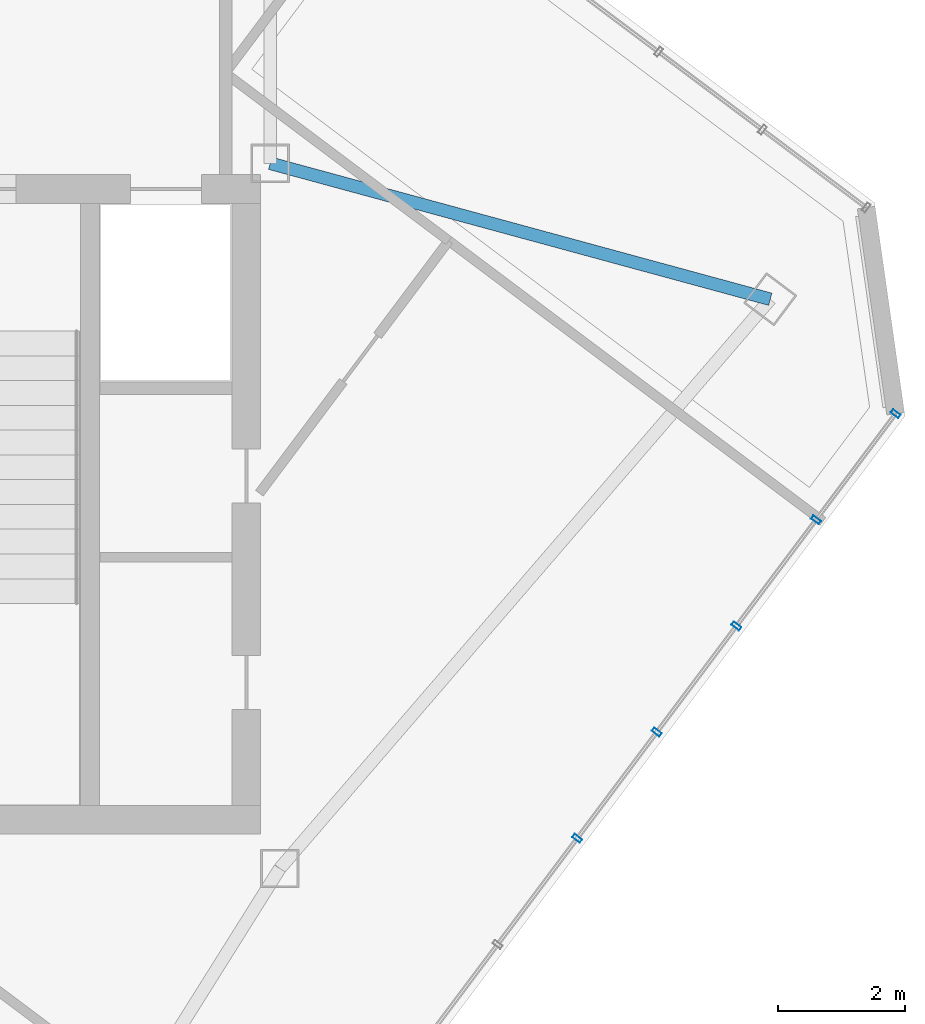
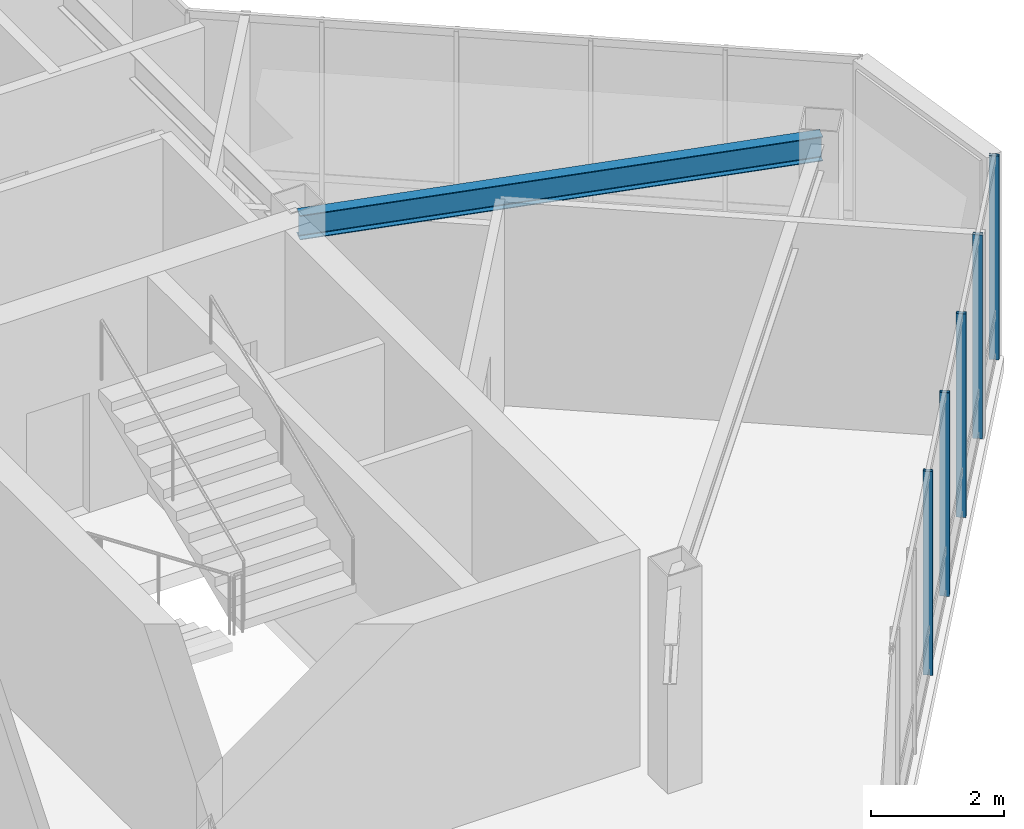
# One storey, part 9 of 21: 5 members, 1 beam, 1 element without a shape of its own.
"""IFC4 building model written with IfcOpenShell, lengths in metres."""

from ifc_helpers import new_model, si_unit, direction, frame, origin, origin_2d, place, context, subcontext, project, spatial, hollow_rectangle, i_section, extrude, material, layer, layer_set, material_profile, profile_set, type_object, element, aggregate, save


model = new_model("IFC4")

# Units and contexts
model_context = context("Model", 3, precision=1e-05, world=origin(), true_north=direction((0.0, 1.0)))
body_context = subcontext(model_context, "Body", "Model", "MODEL_VIEW")
ifc_project = project(units=[si_unit("LENGTHUNIT", "METRE"), si_unit("AREAUNIT", "SQUARE_METRE"), si_unit("VOLUMEUNIT", "CUBIC_METRE"), si_unit("PLANEANGLEUNIT", "RADIAN"), si_unit("MASSUNIT", "GRAM", prefix="KILO")], contexts=[model_context])

# Site, building, storey
site_placement = place(None, origin())
site = spatial("IfcSite", under=ifc_project, at=site_placement, CompositionType="ELEMENT")
building_placement = place(site_placement, origin())
building = spatial("IfcBuilding", under=site, at=building_placement, Name="Hatsunagi Terrace Concourse", CompositionType="ELEMENT")
storey_placement = place(building_placement, frame((0.0, 0.0, 265.949951171875)))
storey = spatial("IfcBuildingStorey", under=building, at=storey_placement, Name="L70", CompositionType="ELEMENT", Elevation=265.949951171875)

# Curtain wall, members
ifc_material_1 = material(Name="Anodised Aluminium Alloy 6063-T5", Category="aluminium")
ifc_layer = layer(ifc_material_1, 0.199951171875)
ifc_layer_set = layer_set([ifc_layer], Name="CrownWintergarden_CW06")
curtain_wall_type = type_object("IfcCurtainWallType", Name="CrownWintergarden_CW06", PredefinedType="NOTDEFINED", material=ifc_layer_set)
curtain_wall_placement = place(storey_placement, origin())
curtain_wall = element("IfcCurtainWall", 1, at=curtain_wall_placement, inside=storey, type_object=curtain_wall_type, Name="Unitised Curtain Wall CW-06 CW-L70-03", PredefinedType="NOTDEFINED")
ifc_material_2 = material(Name="Anodised Aluminium Alloy 6063-T5", Category="aluminium")
ifc_material_profile_1 = material_profile(ifc_material_2, hollow_rectangle(XDim=0.06494140625, YDim=0.14990234375, WallThickness=0.00390625, at=origin_2d()), Name="ALU-MUL-150x65x4")
ifc_profile_set_1 = profile_set([ifc_material_profile_1], Name="Anodised Aluminium Alloy 6063-T5")
member_type = type_object("IfcMemberType", Name="CurtainWallMullion_Crown_150x65", PredefinedType="MULLION", material=ifc_profile_set_1)
member_1_placement = place(storey_placement, frame((53.492919921875, 31.35791015625, 0.0), z_axis=(0.0, 0.0, 1.0), x_axis=(-0.599969314634, -0.800023013105, 0.0)))
member_1 = element("IfcMember", 2, at=member_1_placement, type_object=member_type, Name="Curtain Wall Mullion MUL-03", PredefinedType="MULLION", context=body_context, shape_type="SweptSolid", body=[
    extrude(hollow_rectangle(XDim=0.06494140625, YDim=0.14990234375, WallThickness=0.00390625, at=origin_2d()), origin(), (0.0, 0.0, 1.0), 3.75),
])
member_2_placement = place(storey_placement, frame((52.239990234375, 29.68701171875, 0.0), z_axis=(0.0, 0.0, 1.0), x_axis=(-0.599969314634, -0.800023013105, 0.0)))
member_2 = element("IfcMember", 3, at=member_2_placement, type_object=member_type, Name="Curtain Wall Mullion MUL-03", PredefinedType="MULLION", context=body_context, shape_type="SweptSolid", body=[
    extrude(hollow_rectangle(XDim=0.06494140625, YDim=0.14990234375, WallThickness=0.00390625, at=origin_2d()), origin(), (0.0, 0.0, 1.0), 3.75),
])
member_3_placement = place(storey_placement, frame((50.987060546875, 28.01611328125, 0.0), z_axis=(0.0, 0.0, 1.0), x_axis=(-0.599969314634, -0.800023013105, 0.0)))
member_3 = element("IfcMember", 4, at=member_3_placement, type_object=member_type, Name="Curtain Wall Mullion MUL-03", PredefinedType="MULLION", context=body_context, shape_type="SweptSolid", body=[
    extrude(hollow_rectangle(XDim=0.06494140625, YDim=0.14990234375, WallThickness=0.00390625, at=origin_2d()), origin(), (0.0, 0.0, 1.0), 3.75),
])
member_4_placement = place(storey_placement, frame((49.73388671875, 26.345947265625, 0.0), z_axis=(0.0, 0.0, 1.0), x_axis=(-0.599969314634, -0.800023013105, 0.0)))
member_4 = element("IfcMember", 5, at=member_4_placement, type_object=member_type, Name="Curtain Wall Mullion MUL-03", PredefinedType="MULLION", context=body_context, shape_type="SweptSolid", body=[
    extrude(hollow_rectangle(XDim=0.06494140625, YDim=0.14990234375, WallThickness=0.00390625, at=origin_2d()), origin(), (0.0, 0.0, 1.0), 3.75),
])
member_5_placement = place(storey_placement, frame((48.48095703125, 24.675048828125, 0.0), z_axis=(0.0, 0.0, 1.0), x_axis=(-0.599969314634, -0.800023013105, 0.0)))
member_5 = element("IfcMember", 6, at=member_5_placement, type_object=member_type, Name="Curtain Wall Mullion MUL-03", PredefinedType="MULLION", context=body_context, shape_type="SweptSolid", body=[
    extrude(hollow_rectangle(XDim=0.06494140625, YDim=0.14990234375, WallThickness=0.00390625, at=origin_2d()), origin(), (0.0, 0.0, 1.0), 3.75),
])
aggregate(curtain_wall, [member_1, member_2, member_3, member_4, member_5])

# Beam
ifc_material_3 = material(Name="Steel SN490B", Category="steel")
ifc_material_profile_2 = material_profile(ifc_material_3, i_section(OverallWidth=0.199951171875, OverallDepth=0.449951171875, WebThickness=0.009033203125, FlangeThickness=0.013916015625, FilletRadius=0.01611328125, at=origin_2d()), Name="H-450x200x9x14")
ifc_profile_set_2 = profile_set([ifc_material_profile_2], Name="Steel SN490B")
beam_type = type_object("IfcBeamType", Name="PerimeterSpandrel_H_450x200", PredefinedType="SPANDREL", material=ifc_profile_set_2)
beam_placement = place(storey_placement, frame((43.64990234375, 35.300048828125, 3.525146484375), z_axis=(0.964958359286, -0.262403057994, 0.0), x_axis=(0.262403057994, 0.964958359286, 0.0)))
element("IfcBeam", 7, at=beam_placement, inside=storey, type_object=beam_type, Name="Beam SP-02 BM-L70-SE-NE0", PredefinedType="SPANDREL", context=body_context, shape_type="SweptSolid", body=[
    extrude(i_section(OverallWidth=0.199951171875, OverallDepth=0.449951171875, WebThickness=0.009033203125, FlangeThickness=0.013916015625, FilletRadius=0.01611328125, at=origin_2d()), origin(), (0.0, 0.0, 1.0), 8.156005859375),
])

save(model, "model.ifc")
